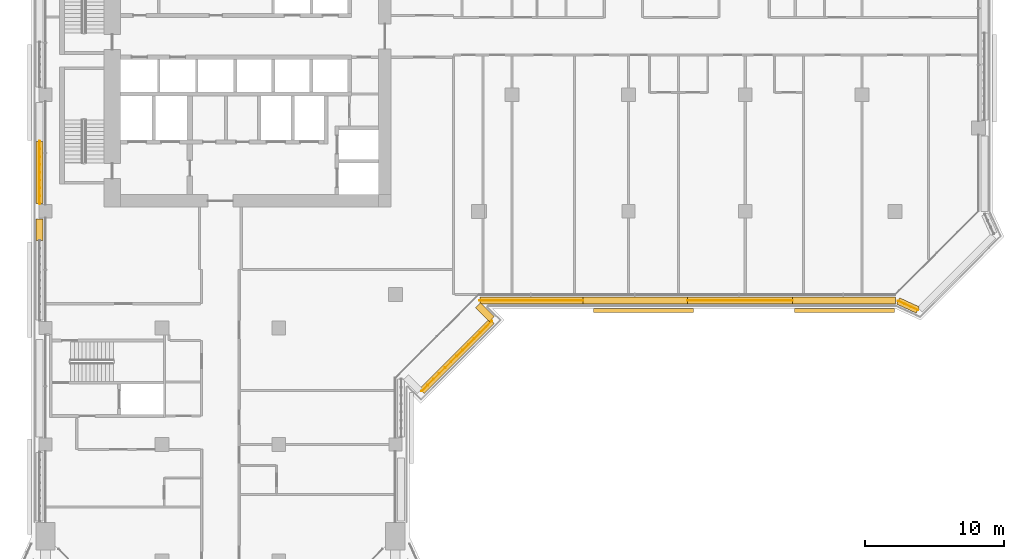
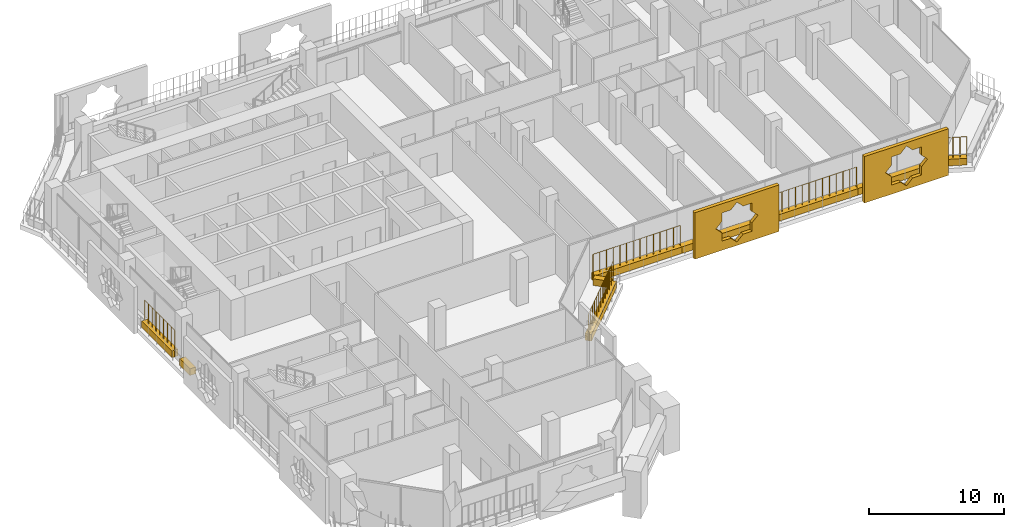
# One storey, part 18 of 23: 11 coverings, 5 railings.
"""IFC4 building model written with IfcOpenShell, lengths in metres."""

import ifcopenshell
import ifcopenshell.guid

model = None  # the IFC model being written
_history = None  # IfcOwnerHistory: only IFC2X3 demands one
_inside = {}  # id of a spatial element -> (the spatial element, [elements in it])
_under = {}  # id of a project, library or spatial element -> (it, [spatial elements below it])
_declared = {}  # id of a project -> (the project, [libraries it declares])
_typed = {}  # id of a type object -> (the type object, [elements of that type])
_made_of = {}  # id of a material, layer set ... -> (it, [elements and type objects made of it])


def new_model(schema):
    """Start an empty IFC model of exactly this schema.

    Asked for "IFC4X3", IfcOpenShell would pick the latest addendum, in which some entities
    have other attributes; the version numbers below select the first issue.
    IFC2X3 requires an IfcOwnerHistory on every rooted entity: one is made here for all.
    """
    global model, _history
    if schema == "IFC4X3":
        model = ifcopenshell.file(schema_version=(4, 3, 0, 0))
    else:
        model = ifcopenshell.file(schema=schema)
    _inside.clear()
    _under.clear()
    _declared.clear()
    _typed.clear()
    _made_of.clear()
    _history = None
    if model.schema == "IFC2X3":
        org = make("IfcOrganization", Name="unknown")
        user = make(
            "IfcPersonAndOrganization",
            ThePerson=make("IfcPerson", FamilyName="unknown"),
            TheOrganization=org,
        )
        app = make(
            "IfcApplication",
            ApplicationDeveloper=org,
            Version="unknown",
            ApplicationFullName="unknown",
            ApplicationIdentifier="unknown",
        )
        _history = make(
            "IfcOwnerHistory",
            OwningUser=user,
            OwningApplication=app,
            ChangeAction="ADDED",
            CreationDate=0,
        )
    return model


def make(cls, **values):
    """One entity of the class cls with the attributes given. An attribute that is None is left unset."""
    return model.create_entity(
        cls, **{name: value for name, value in values.items() if value is not None}
    )


def rooted(cls, **values):
    """An entity with a GlobalId (a new one), such as an element, a storey or a relation."""
    return make(cls, GlobalId=ifcopenshell.guid.new(), OwnerHistory=_history, **values)


def si_unit(unit_type, name, prefix=None):
    """IfcSIUnit, for example si_unit("LENGTHUNIT", "METRE", prefix="MILLI")."""
    return make("IfcSIUnit", UnitType=unit_type, Prefix=prefix, Name=name)


def assignment(units):
    """IfcUnitAssignment: the units of a project."""
    return None if units is None else make("IfcUnitAssignment", Units=units)


def point(xyz):
    """IfcCartesianPoint."""
    return None if xyz is None else make("IfcCartesianPoint", Coordinates=xyz)


def direction(xyz):
    """IfcDirection."""
    return None if xyz is None else make("IfcDirection", DirectionRatios=xyz)


def frame(location, z_axis=None, x_axis=None):
    """IfcAxis2Placement3D, a coordinate frame: its origin and axes. An axis left out is left unset."""
    return make(
        "IfcAxis2Placement3D",
        Location=point(location),
        Axis=direction(z_axis),
        RefDirection=direction(x_axis),
    )


def frame_2d(location, x_axis=None):
    """IfcAxis2Placement2D, a coordinate frame in the plane: its origin and x axis."""
    return make(
        "IfcAxis2Placement2D", Location=point(location), RefDirection=direction(x_axis)
    )


def origin():
    """The frame at (0, 0, 0) with its axes left unset."""
    return frame((0.0, 0.0, 0.0))


def origin_2d():
    """The frame at (0, 0) in the plane with its x axis left unset."""
    return frame_2d((0.0, 0.0))


def place(relative_to, where):
    """IfcLocalPlacement: puts the frame where relative to a parent placement (None: the world)."""
    return make(
        "IfcLocalPlacement", PlacementRelTo=relative_to, RelativePlacement=where
    )


def context(
    kind, dimensions, precision=None, world=None, true_north=None, identifier=None
):
    """IfcGeometricRepresentationContext, for example the 3D "Model" context."""
    return make(
        "IfcGeometricRepresentationContext",
        ContextIdentifier=identifier,
        ContextType=kind,
        CoordinateSpaceDimension=dimensions,
        Precision=precision,
        WorldCoordinateSystem=world,
        TrueNorth=true_north,
    )


def subcontext(parent, identifier, kind, view, scale=None):
    """IfcGeometricRepresentationSubContext, for example "Body" below "Model"."""
    return make(
        "IfcGeometricRepresentationSubContext",
        ContextIdentifier=identifier,
        ContextType=kind,
        ParentContext=parent,
        TargetScale=scale,
        TargetView=view,
    )


def project(units=None, contexts=None):
    """IfcProject with its units and contexts."""
    return rooted(
        "IfcProject",
        Name="project",
        RepresentationContexts=contexts,
        UnitsInContext=assignment(units),
    )


def spatial(cls, under=None, at=None, **own):
    """A site, building, storey or space (cls), placed at a placement, below another one or the project."""
    s = rooted(cls, ObjectPlacement=at, **own)
    if under is not None:
        _under.setdefault(under.id(), (under, []))[1].append(s)
    return s


def polyline(points):
    """IfcPolyline through the points."""
    return make("IfcPolyline", Points=[point(p) for p in points])


def profile(cls, at=None, kind="AREA", **sizes):
    """A parametric profile (cls). Its sizes go by their IFC names, for example OverallWidth=200.0."""
    return make(cls, ProfileType=kind, Position=at, **sizes)


def rectangle(**sizes):
    """IfcRectangleProfileDef."""
    return profile("IfcRectangleProfileDef", **sizes)


def circle(**sizes):
    """IfcCircleProfileDef."""
    return profile("IfcCircleProfileDef", **sizes)


def outline(outer, holes=None, kind="AREA"):
    """IfcArbitraryClosedProfileDef: a profile drawn as a closed curve; with holes, ...WithVoids."""
    if holes is None:
        return make("IfcArbitraryClosedProfileDef", ProfileType=kind, OuterCurve=outer)
    return make(
        "IfcArbitraryProfileDefWithVoids",
        ProfileType=kind,
        OuterCurve=outer,
        InnerCurves=holes,
    )


def extrude(swept, where, along, depth):
    """IfcExtrudedAreaSolid: the profile swept, set in the frame where, extruded along a direction by depth."""
    return make(
        "IfcExtrudedAreaSolid",
        SweptArea=swept,
        Position=where,
        ExtrudedDirection=direction(along),
        Depth=depth,
    )


def shape(context_of_items, identifier, shape_type, items):
    """IfcShapeRepresentation: the items that make up one representation, for example the "Body"."""
    return make(
        "IfcShapeRepresentation",
        ContextOfItems=context_of_items,
        RepresentationIdentifier=identifier,
        RepresentationType=shape_type,
        Items=items,
    )


def material(Name=None, Category=None):
    """IfcMaterial."""
    return make("IfcMaterial", Name=Name, Category=Category)


def material_profile(
    of_material, cross_section, Name=None, Category=None, Priority=None
):
    """IfcMaterialProfile: a cross section and its material."""
    return make(
        "IfcMaterialProfile",
        Name=Name,
        Material=of_material,
        Profile=cross_section,
        Priority=Priority,
        Category=Category,
    )


def profile_set(profiles, Name=None, composite=None):
    """IfcMaterialProfileSet."""
    return make(
        "IfcMaterialProfileSet",
        Name=Name,
        MaterialProfiles=profiles,
        CompositeProfile=composite,
    )


def made_of(thing, what):
    """Note that an element or type object is made of a material, layer set ...; save() writes the relation."""
    if what is not None:
        _made_of.setdefault(what.id(), (what, []))[1].append(thing)
    return thing


def type_object(cls, material=None, **own):
    """A type object (cls), such as IfcWallType, which elements share."""
    return made_of(rooted(cls, **own), material)


def element(
    cls,
    number,
    at=None,
    inside=None,
    cuts=None,
    type_object=None,
    material=None,
    context=None,
    identifier="Body",
    shape_type=None,
    held_by="IfcProductDefinitionShape",
    body=None,
    shapes=None,
    **own,
):
    """One element of the class cls, such as IfcWall. Its Tag is "e" and its number.

    at: its placement. inside: the storey or other place that contains it. cuts: it is an
    opening in that element (IfcRelVoidsElement). A single representation is given by context,
    identifier, shape_type and body (its items); several are given by shapes. held_by: the class
    of the entity that holds the representations. save() writes the other relations.
    """
    e = rooted(cls, Tag="e%d" % number, ObjectPlacement=at, **own)
    if body is not None:
        shapes = [shape(context, identifier, shape_type, body)]
    if shapes is not None:
        e.Representation = make(held_by, Representations=shapes)
    if inside is not None:
        _inside.setdefault(inside.id(), (inside, []))[1].append(e)
    if cuts is not None:
        rooted(
            "IfcRelVoidsElement", RelatingBuildingElement=cuts, RelatedOpeningElement=e
        )
    if type_object is not None:
        _typed.setdefault(type_object.id(), (type_object, []))[1].append(e)
    return made_of(e, material)


def aggregate(whole, parts):
    """IfcRelAggregates: a whole, such as a stair, and the parts it consists of."""
    return rooted("IfcRelAggregates", RelatingObject=whole, RelatedObjects=parts)


def save(model, path):
    """Write the relations noted so far, then the file.

    IfcRelAggregates (storeys below a building ...), IfcRelContainedInSpatialStructure (elements
    in a storey), IfcRelDefinesByType, IfcRelAssociatesMaterial and IfcRelDeclares: one each for
    every whole, place, type object, material and project.
    """
    for whole, parts in _under.values():
        aggregate(whole, parts)
    for where, things in _inside.values():
        rooted(
            "IfcRelContainedInSpatialStructure",
            RelatedElements=things,
            RelatingStructure=where,
        )
    for kind, things in _typed.values():
        rooted("IfcRelDefinesByType", RelatedObjects=things, RelatingType=kind)
    for what, things in _made_of.values():
        rooted("IfcRelAssociatesMaterial", RelatedObjects=things, RelatingMaterial=what)
    for by, libraries in _declared.values():
        rooted("IfcRelDeclares", RelatingContext=by, RelatedDefinitions=libraries)
    model.write(path)


model = new_model("IFC4")

# Units and contexts
model_context = context("Model", 3, precision=1e-05, world=origin(), true_north=direction((0.0, 1.0)))
body_context = subcontext(model_context, "Body", "Model", "MODEL_VIEW")
ifc_project = project(units=[si_unit("LENGTHUNIT", "METRE"), si_unit("AREAUNIT", "SQUARE_METRE"), si_unit("VOLUMEUNIT", "CUBIC_METRE"), si_unit("PLANEANGLEUNIT", "RADIAN"), si_unit("MASSUNIT", "GRAM", prefix="KILO")], contexts=[model_context])

# Site, building, storey
site_placement = place(None, origin())
site = spatial("IfcSite", under=ifc_project, at=site_placement, CompositionType="ELEMENT")
building_placement = place(site_placement, origin())
building = spatial("IfcBuilding", under=site, at=building_placement, Name="Kawkab Arch Medical Tower", CompositionType="ELEMENT")
storey_placement = place(building_placement, frame((0.0, 0.0, 175.199951171875)))
storey = spatial("IfcBuildingStorey", under=building, at=storey_placement, Name="L40", CompositionType="ELEMENT", Elevation=175.199951171875)

# Coverings
ifc_material_1 = material(Name="Bronze anodised aluminium mashrabiya panel, eight-point star pattern", Category="aluminium")
ifc_material_profile_1 = material_profile(ifc_material_1, outline(polyline([(-3.60009765625, -2.10009765625), (3.60009765625, -2.10009765625), (3.60009765625, 2.10009765625), (-3.60009765625, 2.10009765625), (-3.60009765625, -2.10009765625)]), holes=[polyline([(1.800048828125, 0.0), (1.272705078125, 0.527099609375), (1.272705078125, 1.272705078125), (0.527099609375, 1.272705078125), (0.0, 1.800048828125), (-0.527099609375, 1.272705078125), (-1.272705078125, 1.272705078125), (-1.272705078125, 0.527099609375), (-1.800048828125, 0.0), (-1.272705078125, -0.527099609375), (-1.272705078125, -1.272705078125), (-0.527099609375, -1.272705078125), (0.0, -1.800048828125), (0.527099609375, -1.272705078125), (1.272705078125, -1.272705078125), (1.272705078125, -0.527099609375), (1.800048828125, 0.0)])]), Name="Mashrabiya panel 7200x4200")
ifc_profile_set_1 = profile_set([ifc_material_profile_1], Name="Bronze anodised aluminium mashrabiya panel, eight-point star pattern")
covering_type_1 = type_object("IfcCoveringType", Name="Mashrabiya panel 7200 x 4200", PredefinedType="USERDEFINED", material=ifc_profile_set_1)
for number, where, z_axis, x_axis, name in (
    (1, (57.5546875, -32.199951171875, 1.699951171875), (0.0, -1.0, 0.0), (1.0, 0.0, 0.0), "Mashrabiya panel L40.LOG-01-01.10"),
    (2, (43.06494140625, -32.199951171875, 1.699951171875), (0.0, -1.0, 0.0), (1.0, 0.0, 0.0), "Mashrabiya panel L40.LOG-01-01.11"),
):
    element("IfcCovering", number, at=place(storey_placement, frame(where, z_axis=z_axis, x_axis=x_axis)), inside=storey, type_object=covering_type_1, Name=name, ObjectType="SCREEN", PredefinedType="USERDEFINED", context=body_context, shape_type="SweptSolid", body=[
        extrude(outline(polyline([(-3.60009765625, -2.10009765625), (3.60009765625, -2.10009765625), (3.60009765625, 2.10009765625), (-3.60009765625, 2.10009765625), (-3.60009765625, -2.10009765625)]), holes=[polyline([(1.800048828125, 0.0), (1.272705078125, 0.527099609375), (1.272705078125, 1.272705078125), (0.527099609375, 1.272705078125), (0.0, 1.800048828125), (-0.527099609375, 1.272705078125), (-1.272705078125, 1.272705078125), (-1.272705078125, 0.527099609375), (-1.800048828125, 0.0), (-1.272705078125, -0.527099609375), (-1.272705078125, -1.272705078125), (-0.527099609375, -1.272705078125), (0.0, -1.800048828125), (0.527099609375, -1.272705078125), (1.272705078125, -1.272705078125), (1.272705078125, -0.527099609375), (1.800048828125, 0.0)])]), origin(), (0.0, 0.0, 1.0), 0.300048828125),
    ])
ifc_material_2 = material(Name="Planting soil in a precast trough", Category="concrete")
ifc_material_profile_2 = material_profile(ifc_material_2, rectangle(XDim=0.5, YDim=0.60009765625, at=origin_2d()), Name="Trough 500x600")
ifc_profile_set_2 = profile_set([ifc_material_profile_2], Name="Planting soil in a precast trough")
covering_type_2 = type_object("IfcCoveringType", Name="Planter trough 500 x 600", PredefinedType="USERDEFINED", material=ifc_profile_set_2)
covering_1_placement = place(storey_placement, frame((-0.419921875, -27.300048828125, 0.300048828125), z_axis=(0.0, 1.0, 0.0), x_axis=(-1.0, 0.0, 0.0)))
element("IfcCovering", 3, at=covering_1_placement, inside=storey, type_object=covering_type_2, Name="Planter L40.LOG-01-01.10", ObjectType="PLANTER", PredefinedType="USERDEFINED", context=body_context, shape_type="SweptSolid", body=[
    extrude(rectangle(XDim=0.5, YDim=0.60009765625, at=origin_2d()), origin(), (0.0, 0.0, 1.0), 1.545166015625),
])
covering_2_placement = place(storey_placement, frame((-0.419921875, -24.64501953125, 0.300048828125), z_axis=(0.0, 1.0, 0.0), x_axis=(-1.0, 0.0, 0.0)))
element("IfcCovering", 4, at=covering_2_placement, inside=storey, type_object=covering_type_2, Name="Planter L40.LOG-01-01.11", ObjectType="PLANTER", PredefinedType="USERDEFINED", context=body_context, shape_type="SweptSolid", body=[
    extrude(rectangle(XDim=0.5, YDim=0.60009765625, at=origin_2d()), origin(), (0.0, 0.0, 1.0), 4.487060546875),
])
covering_3_placement = place(storey_placement, frame((62.821044921875, -32.302001953125, 0.300048828125), z_axis=(-0.909655525109, 0.415363486165, 0.0), x_axis=(-0.415363486165, -0.909655525109, 0.0)))
element("IfcCovering", 5, at=covering_3_placement, inside=storey, type_object=covering_type_2, Name="Planter L40.LOG-01-01.33", ObjectType="PLANTER", PredefinedType="USERDEFINED", context=body_context, shape_type="SweptSolid", body=[
    extrude(rectangle(XDim=0.5, YDim=0.60009765625, at=origin_2d()), origin(), (0.0, 0.0, 1.0), 1.54345703125),
])
covering_4_placement = place(storey_placement, frame((61.22607421875, -31.6201171875, 0.300048828125), z_axis=(-1.0, 0.0, 0.0), x_axis=(0.0, -1.0, 0.0)))
element("IfcCovering", 6, at=covering_4_placement, inside=storey, type_object=covering_type_2, Name="Planter L40.LOG-01-01.34", ObjectType="PLANTER", PredefinedType="USERDEFINED", context=body_context, shape_type="SweptSolid", body=[
    extrude(rectangle(XDim=0.5, YDim=0.60009765625, at=origin_2d()), origin(), (0.0, 0.0, 1.0), 7.43505859375),
])
covering_5_placement = place(storey_placement, frame((53.791015625, -31.6201171875, 0.300048828125), z_axis=(-1.0, 0.0, 0.0), x_axis=(0.0, -1.0, 0.0)))
element("IfcCovering", 7, at=covering_5_placement, inside=storey, type_object=covering_type_2, Name="Planter L40.LOG-01-01.35", ObjectType="PLANTER", PredefinedType="USERDEFINED", context=body_context, shape_type="SweptSolid", body=[
    extrude(rectangle(XDim=0.5, YDim=0.60009765625, at=origin_2d()), origin(), (0.0, 0.0, 1.0), 7.5361328125),
])
covering_6_placement = place(storey_placement, frame((46.2548828125, -31.6201171875, 0.300048828125), z_axis=(-1.0, 0.0, 0.0), x_axis=(0.0, -1.0, 0.0)))
element("IfcCovering", 8, at=covering_6_placement, inside=storey, type_object=covering_type_2, Name="Planter L40.LOG-01-01.36", ObjectType="PLANTER", PredefinedType="USERDEFINED", context=body_context, shape_type="SweptSolid", body=[
    extrude(rectangle(XDim=0.5, YDim=0.60009765625, at=origin_2d()), origin(), (0.0, 0.0, 1.0), 7.534912109375),
])
covering_7_placement = place(storey_placement, frame((38.719970703125, -31.6201171875, 0.300048828125), z_axis=(-1.0, 0.0, 0.0), x_axis=(0.0, -1.0, 0.0)))
element("IfcCovering", 9, at=covering_7_placement, inside=storey, type_object=covering_type_2, Name="Planter L40.LOG-01-01.37", ObjectType="PLANTER", PredefinedType="USERDEFINED", context=body_context, shape_type="SweptSolid", body=[
    extrude(rectangle(XDim=0.5, YDim=0.60009765625, at=origin_2d()), origin(), (0.0, 0.0, 1.0), 7.43505859375),
])
covering_8_placement = place(storey_placement, frame((31.14306640625, -31.962890625, 0.300048828125), z_axis=(0.707020805532, -0.707192746389, 0.0), x_axis=(0.707192746389, 0.707020805532, 0.0)))
element("IfcCovering", 10, at=covering_8_placement, inside=storey, type_object=covering_type_2, Name="Planter L40.LOG-01-01.38", ObjectType="PLANTER", PredefinedType="USERDEFINED", context=body_context, shape_type="SweptSolid", body=[
    extrude(rectangle(XDim=0.5, YDim=0.60009765625, at=origin_2d()), origin(), (0.0, 0.0, 1.0), 1.419921875),
])
covering_9_placement = place(storey_placement, frame((32.14697265625, -33.10888671875, 0.300048828125), z_axis=(-0.707106781187, -0.707106781187, 0.0), x_axis=(0.707106781187, -0.707106781187, 0.0)))
element("IfcCovering", 11, at=covering_9_placement, inside=storey, type_object=covering_type_2, Name="Planter L40.LOG-01-01.39", ObjectType="PLANTER", PredefinedType="USERDEFINED", context=body_context, shape_type="SweptSolid", body=[
    extrude(rectangle(XDim=0.5, YDim=0.60009765625, at=origin_2d()), origin(), (0.0, 0.0, 1.0), 7.125),
])

# Railings
ifc_material_3 = material(Name="Bronze anodised aluminium trellis for climbing plants", Category="aluminium")
railing_type = type_object("IfcRailingType", Name="Planting trellis 2400", PredefinedType="USERDEFINED", material=ifc_material_3)
railing_1_placement = place(storey_placement, frame((-0.419921875, -24.64501953125, 0.0)))
element("IfcRailing", 12, at=railing_1_placement, inside=storey, type_object=railing_type, Name="Planting trellis L40.LOG-01-01.11", ObjectType="TRELLIS", PredefinedType="USERDEFINED", context=body_context, shape_type="SweptSolid", body=[
    extrude(circle(Radius=0.01513671875, at=origin_2d()), frame((0.0, 0.0, 2.384765625), z_axis=(0.0, 1.0, 0.0), x_axis=(-1.0, 0.0, 0.0)), (0.0, 0.0, 1.0), 4.487060546875),
    extrude(circle(Radius=0.030029296875, at=origin_2d()), origin(), (0.0, 0.0, 1.0), 2.369873046875),
    extrude(circle(Radius=0.030029296875, at=origin_2d()), frame((0.0, 0.560791015625, 0.0)), (0.0, 0.0, 1.0), 2.369873046875),
    extrude(circle(Radius=0.030029296875, at=origin_2d()), frame((0.0, 1.121826171875, 0.0)), (0.0, 0.0, 1.0), 2.369873046875),
    extrude(circle(Radius=0.030029296875, at=origin_2d()), frame((0.0, 1.6826171875, 0.0)), (0.0, 0.0, 1.0), 2.369873046875),
    extrude(circle(Radius=0.030029296875, at=origin_2d()), frame((0.0, 2.24365234375, 0.0)), (0.0, 0.0, 1.0), 2.369873046875),
    extrude(circle(Radius=0.030029296875, at=origin_2d()), frame((0.0, 2.804443359375, 0.0)), (0.0, 0.0, 1.0), 2.369873046875),
    extrude(circle(Radius=0.030029296875, at=origin_2d()), frame((0.0, 3.365234375, 0.0)), (0.0, 0.0, 1.0), 2.369873046875),
    extrude(circle(Radius=0.030029296875, at=origin_2d()), frame((0.0, 3.92626953125, 0.0)), (0.0, 0.0, 1.0), 2.369873046875),
    extrude(circle(Radius=0.030029296875, at=origin_2d()), frame((0.0, 4.487060546875, 0.0)), (0.0, 0.0, 1.0), 2.369873046875),
])
railing_2_placement = place(storey_placement, frame((62.821044921875, -32.302001953125, 0.0)))
element("IfcRailing", 13, at=railing_2_placement, inside=storey, type_object=railing_type, Name="Planting trellis L40.LOG-01-01.33", ObjectType="TRELLIS", PredefinedType="USERDEFINED", context=body_context, shape_type="SweptSolid", body=[
    extrude(circle(Radius=0.01513671875, at=origin_2d()), frame((0.0, 0.0, 2.384765625), z_axis=(-0.909655525109, 0.415363486165, 0.0), x_axis=(-0.415363486165, -0.909655525109, 0.0)), (0.0, 0.0, 1.0), 1.54345703125),
    extrude(circle(Radius=0.030029296875, at=origin_2d()), origin(), (0.0, 0.0, 1.0), 2.369873046875),
    extrude(circle(Radius=0.030029296875, at=origin_2d()), frame((-0.468017578125, 0.213623046875, 0.0)), (0.0, 0.0, 1.0), 2.369873046875),
    extrude(circle(Radius=0.030029296875, at=origin_2d()), frame((-0.93603515625, 0.427490234375, 0.0)), (0.0, 0.0, 1.0), 2.369873046875),
    extrude(circle(Radius=0.030029296875, at=origin_2d()), frame((-1.404052734375, 0.64111328125, 0.0)), (0.0, 0.0, 1.0), 2.369873046875),
])
railing_3_placement = place(storey_placement, frame((53.791015625, -31.6201171875, 0.0)))
element("IfcRailing", 14, at=railing_3_placement, inside=storey, type_object=railing_type, Name="Planting trellis L40.LOG-01-01.35", ObjectType="TRELLIS", PredefinedType="USERDEFINED", context=body_context, shape_type="SweptSolid", body=[
    extrude(circle(Radius=0.01513671875, at=origin_2d()), frame((0.0, 0.0, 2.384765625), z_axis=(-1.0, 0.0, 0.0), x_axis=(0.0, -1.0, 0.0)), (0.0, 0.0, 1.0), 7.5361328125),
    extrude(circle(Radius=0.030029296875, at=origin_2d()), origin(), (0.0, 0.0, 1.0), 2.369873046875),
    extrude(circle(Radius=0.030029296875, at=origin_2d()), frame((-0.57958984375, 0.0, 0.0)), (0.0, 0.0, 1.0), 2.369873046875),
    extrude(circle(Radius=0.030029296875, at=origin_2d()), frame((-1.159423828125, 0.0, 0.0)), (0.0, 0.0, 1.0), 2.369873046875),
    extrude(circle(Radius=0.030029296875, at=origin_2d()), frame((-1.739013671875, 0.0, 0.0)), (0.0, 0.0, 1.0), 2.369873046875),
    extrude(circle(Radius=0.030029296875, at=origin_2d()), frame((-2.31884765625, 0.0, 0.0)), (0.0, 0.0, 1.0), 2.369873046875),
    extrude(circle(Radius=0.030029296875, at=origin_2d()), frame((-2.8984375, 0.0, 0.0)), (0.0, 0.0, 1.0), 2.369873046875),
    extrude(circle(Radius=0.030029296875, at=origin_2d()), frame((-3.478271484375, 0.0, 0.0)), (0.0, 0.0, 1.0), 2.369873046875),
    extrude(circle(Radius=0.030029296875, at=origin_2d()), frame((-4.057861328125, 0.0, 0.0)), (0.0, 0.0, 1.0), 2.369873046875),
    extrude(circle(Radius=0.030029296875, at=origin_2d()), frame((-4.6376953125, 0.0, 0.0)), (0.0, 0.0, 1.0), 2.369873046875),
    extrude(circle(Radius=0.030029296875, at=origin_2d()), frame((-5.21728515625, 0.0, 0.0)), (0.0, 0.0, 1.0), 2.369873046875),
    extrude(circle(Radius=0.030029296875, at=origin_2d()), frame((-5.797119140625, 0.0, 0.0)), (0.0, 0.0, 1.0), 2.369873046875),
    extrude(circle(Radius=0.030029296875, at=origin_2d()), frame((-6.376708984375, 0.0, 0.0)), (0.0, 0.0, 1.0), 2.369873046875),
    extrude(circle(Radius=0.030029296875, at=origin_2d()), frame((-6.95654296875, 0.0, 0.0)), (0.0, 0.0, 1.0), 2.369873046875),
    extrude(circle(Radius=0.030029296875, at=origin_2d()), frame((-7.5361328125, 0.0, 0.0)), (0.0, 0.0, 1.0), 2.369873046875),
])
railing_4_placement = place(storey_placement, frame((38.719970703125, -31.6201171875, 0.0)))
element("IfcRailing", 15, at=railing_4_placement, inside=storey, type_object=railing_type, Name="Planting trellis L40.LOG-01-01.37", ObjectType="TRELLIS", PredefinedType="USERDEFINED", context=body_context, shape_type="SweptSolid", body=[
    extrude(circle(Radius=0.01513671875, at=origin_2d()), frame((0.0, 0.0, 2.384765625), z_axis=(-1.0, 0.0, 0.0), x_axis=(0.0, -1.0, 0.0)), (0.0, 0.0, 1.0), 7.43505859375),
    extrude(circle(Radius=0.030029296875, at=origin_2d()), origin(), (0.0, 0.0, 1.0), 2.369873046875),
    extrude(circle(Radius=0.030029296875, at=origin_2d()), frame((-0.572021484375, 0.0, 0.0)), (0.0, 0.0, 1.0), 2.369873046875),
    extrude(circle(Radius=0.030029296875, at=origin_2d()), frame((-1.143798828125, 0.0, 0.0)), (0.0, 0.0, 1.0), 2.369873046875),
    extrude(circle(Radius=0.030029296875, at=origin_2d()), frame((-1.7158203125, 0.0, 0.0)), (0.0, 0.0, 1.0), 2.369873046875),
    extrude(circle(Radius=0.030029296875, at=origin_2d()), frame((-2.28759765625, 0.0, 0.0)), (0.0, 0.0, 1.0), 2.369873046875),
    extrude(circle(Radius=0.030029296875, at=origin_2d()), frame((-2.859619140625, 0.0, 0.0)), (0.0, 0.0, 1.0), 2.369873046875),
    extrude(circle(Radius=0.030029296875, at=origin_2d()), frame((-3.431640625, 0.0, 0.0)), (0.0, 0.0, 1.0), 2.369873046875),
    extrude(circle(Radius=0.030029296875, at=origin_2d()), frame((-4.00341796875, 0.0, 0.0)), (0.0, 0.0, 1.0), 2.369873046875),
    extrude(circle(Radius=0.030029296875, at=origin_2d()), frame((-4.575439453125, 0.0, 0.0)), (0.0, 0.0, 1.0), 2.369873046875),
    extrude(circle(Radius=0.030029296875, at=origin_2d()), frame((-5.1474609375, 0.0, 0.0)), (0.0, 0.0, 1.0), 2.369873046875),
    extrude(circle(Radius=0.030029296875, at=origin_2d()), frame((-5.71923828125, 0.0, 0.0)), (0.0, 0.0, 1.0), 2.369873046875),
    extrude(circle(Radius=0.030029296875, at=origin_2d()), frame((-6.291259765625, 0.0, 0.0)), (0.0, 0.0, 1.0), 2.369873046875),
    extrude(circle(Radius=0.030029296875, at=origin_2d()), frame((-6.863037109375, 0.0, 0.0)), (0.0, 0.0, 1.0), 2.369873046875),
    extrude(circle(Radius=0.030029296875, at=origin_2d()), frame((-7.43505859375, 0.0, 0.0)), (0.0, 0.0, 1.0), 2.369873046875),
])
railing_5_placement = place(storey_placement, frame((32.14697265625, -33.10888671875, 0.0)))
element("IfcRailing", 16, at=railing_5_placement, inside=storey, type_object=railing_type, Name="Planting trellis L40.LOG-01-01.39", ObjectType="TRELLIS", PredefinedType="USERDEFINED", context=body_context, shape_type="SweptSolid", body=[
    extrude(circle(Radius=0.01513671875, at=origin_2d()), frame((0.0, 0.0, 2.384765625), z_axis=(-0.707106781187, -0.707106781187, 0.0), x_axis=(0.707106781187, -0.707106781187, 0.0)), (0.0, 0.0, 1.0), 7.125),
    extrude(circle(Radius=0.030029296875, at=origin_2d()), origin(), (0.0, 0.0, 1.0), 2.369873046875),
    extrude(circle(Radius=0.030029296875, at=origin_2d()), frame((-0.419921875, -0.419921875, 0.0)), (0.0, 0.0, 1.0), 2.369873046875),
    extrude(circle(Radius=0.030029296875, at=origin_2d()), frame((-0.839599609375, -0.839599609375, 0.0)), (0.0, 0.0, 1.0), 2.369873046875),
    extrude(circle(Radius=0.030029296875, at=origin_2d()), frame((-1.259521484375, -1.259521484375, 0.0)), (0.0, 0.0, 1.0), 2.369873046875),
    extrude(circle(Radius=0.030029296875, at=origin_2d()), frame((-1.679443359375, -1.679443359375, 0.0)), (0.0, 0.0, 1.0), 2.369873046875),
    extrude(circle(Radius=0.030029296875, at=origin_2d()), frame((-2.09912109375, -2.09912109375, 0.0)), (0.0, 0.0, 1.0), 2.369873046875),
    extrude(circle(Radius=0.030029296875, at=origin_2d()), frame((-2.51904296875, -2.51904296875, 0.0)), (0.0, 0.0, 1.0), 2.369873046875),
    extrude(circle(Radius=0.030029296875, at=origin_2d()), frame((-2.93896484375, -2.93896484375, 0.0)), (0.0, 0.0, 1.0), 2.369873046875),
    extrude(circle(Radius=0.030029296875, at=origin_2d()), frame((-3.358642578125, -3.358642578125, 0.0)), (0.0, 0.0, 1.0), 2.369873046875),
    extrude(circle(Radius=0.030029296875, at=origin_2d()), frame((-3.778564453125, -3.778564453125, 0.0)), (0.0, 0.0, 1.0), 2.369873046875),
    extrude(circle(Radius=0.030029296875, at=origin_2d()), frame((-4.198486328125, -4.198486328125, 0.0)), (0.0, 0.0, 1.0), 2.369873046875),
    extrude(circle(Radius=0.030029296875, at=origin_2d()), frame((-4.6181640625, -4.6181640625, 0.0)), (0.0, 0.0, 1.0), 2.369873046875),
    extrude(circle(Radius=0.030029296875, at=origin_2d()), frame((-5.0380859375, -5.0380859375, 0.0)), (0.0, 0.0, 1.0), 2.369873046875),
])

save(model, "model.ifc")
